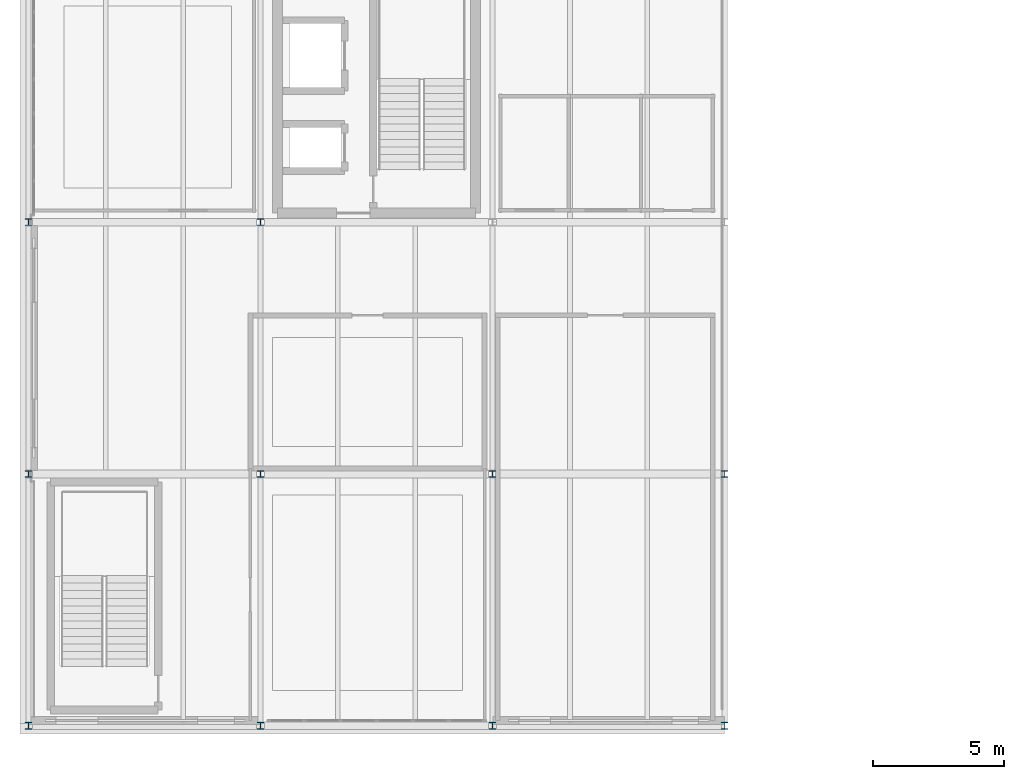
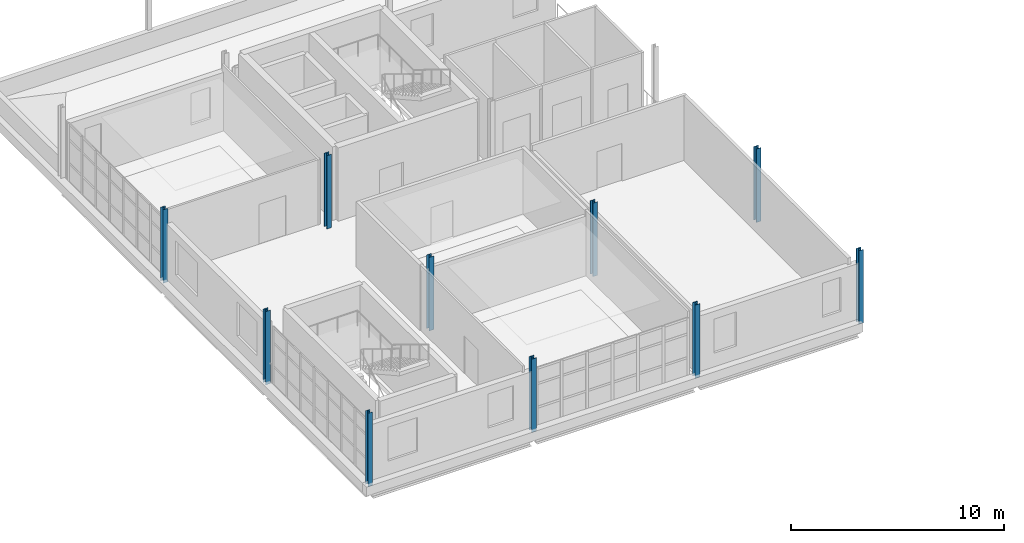
# One storey, part 1 of 28: 10 columns.
"""IFC4 building model written with IfcOpenShell, lengths in metres."""

from ifc_helpers import new_model, si_unit, direction, frame, origin, origin_2d, place, context, subcontext, project, spatial, i_section, extrude, material, material_profile, profile_set, type_object, element, save


model = new_model("IFC4")

# Units and contexts
model_context = context("Model", 3, precision=1e-05, world=origin(), true_north=direction((0.0, 1.0)))
body_context = subcontext(model_context, "Body", "Model", "MODEL_VIEW")
ifc_project = project(units=[si_unit("LENGTHUNIT", "METRE"), si_unit("AREAUNIT", "SQUARE_METRE"), si_unit("VOLUMEUNIT", "CUBIC_METRE"), si_unit("PLANEANGLEUNIT", "RADIAN"), si_unit("MASSUNIT", "GRAM", prefix="KILO")], contexts=[model_context])

# Site, building, storey
site_placement = place(None, origin())
site = spatial("IfcSite", under=ifc_project, at=site_placement, CompositionType="ELEMENT")
building_placement = place(site_placement, origin())
building = spatial("IfcBuilding", under=site, at=building_placement, Name="Yeouljin Market Hall", CompositionType="ELEMENT")
storey_placement = place(building_placement, frame((0.0, 0.0, 15.0)))
storey = spatial("IfcBuildingStorey", under=building, at=storey_placement, Name="L03", CompositionType="ELEMENT", Elevation=15.0)

# Columns
ifc_material = material(Name="Steel SM355", Category="steel")
ifc_material_profile = material_profile(ifc_material, i_section(OverallWidth=0.25, OverallDepth=0.25, WebThickness=0.009033203125, FlangeThickness=0.013916015625, FilletRadius=0.01611328125, at=origin_2d()), Name="H-250x250x9x14")
ifc_profile_set = profile_set([ifc_material_profile], Name="Steel SM355")
column_type = type_object("IfcColumnType", Name="Col_H-250x250x9x14", PredefinedType="COLUMN", material=ifc_profile_set)
for number, where, z_axis, x_axis, name in (
    (1, (0.0, 0.0, 0.0), (0.0, 0.0, 1.0), (1.0, 0.0, 0.0), "Column G-00-00 (L03)"),
    (2, (0.0, 9.60009765625, 0.0), (0.0, 0.0, 1.0), (1.0, 0.0, 0.0), "Column G-00-01 (L03)"),
    (3, (0.0, 19.199951171875, 0.0), (0.0, 0.0, 1.0), (1.0, 0.0, 0.0), "Column G-00-02 (L03)"),
    (4, (8.85009765625, 0.0, 0.0), (0.0, 0.0, 1.0), (1.0, 0.0, 0.0), "Column G-01-00 (L03)"),
    (5, (8.85009765625, 9.60009765625, 0.0), (0.0, 0.0, 1.0), (1.0, 0.0, 0.0), "Column G-01-01 (L03)"),
    (6, (8.85009765625, 19.199951171875, 0.0), (0.0, 0.0, 1.0), (1.0, 0.0, 0.0), "Column G-01-02 (L03)"),
    (7, (17.699951171875, 0.0, 0.0), (0.0, 0.0, 1.0), (1.0, 0.0, 0.0), "Column G-02-00 (L03)"),
    (8, (17.699951171875, 9.60009765625, 0.0), (0.0, 0.0, 1.0), (1.0, 0.0, 0.0), "Column G-02-01 (L03)"),
    (9, (26.550048828125, 0.0, 0.0), (0.0, 0.0, 1.0), (1.0, 0.0, 0.0), "Column G-03-00 (L03)"),
    (10, (26.550048828125, 9.60009765625, 0.0), (0.0, 0.0, 1.0), (1.0, 0.0, 0.0), "Column G-03-01 (L03)"),
):
    element("IfcColumn", number, at=place(storey_placement, frame(where, z_axis=z_axis, x_axis=x_axis)), inside=storey, type_object=column_type, Name=name, PredefinedType="COLUMN", context=body_context, shape_type="SweptSolid", body=[
        extrude(i_section(OverallWidth=0.25, OverallDepth=0.25, WebThickness=0.009033203125, FlangeThickness=0.013916015625, FilletRadius=0.01611328125, at=origin_2d()), origin(), (0.0, 0.0, 1.0), 4.199951171875),
    ])

save(model, "model.ifc")
